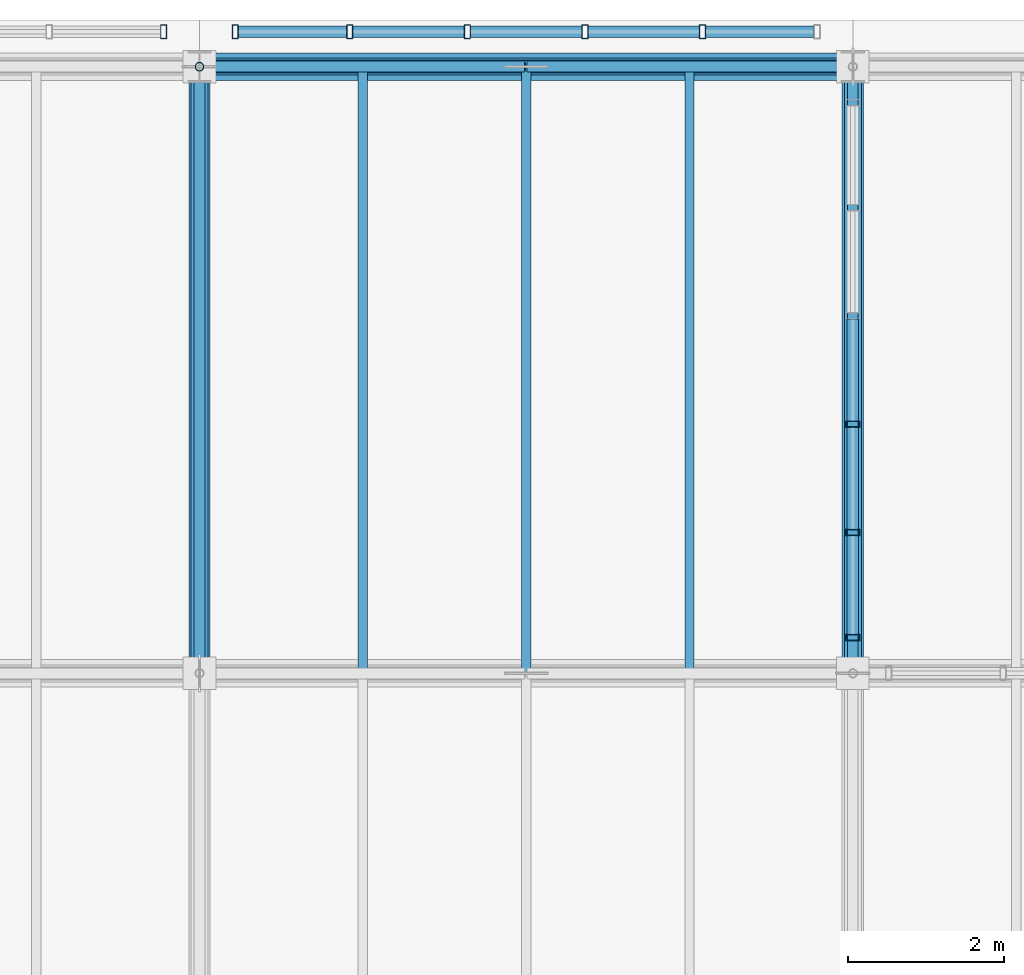
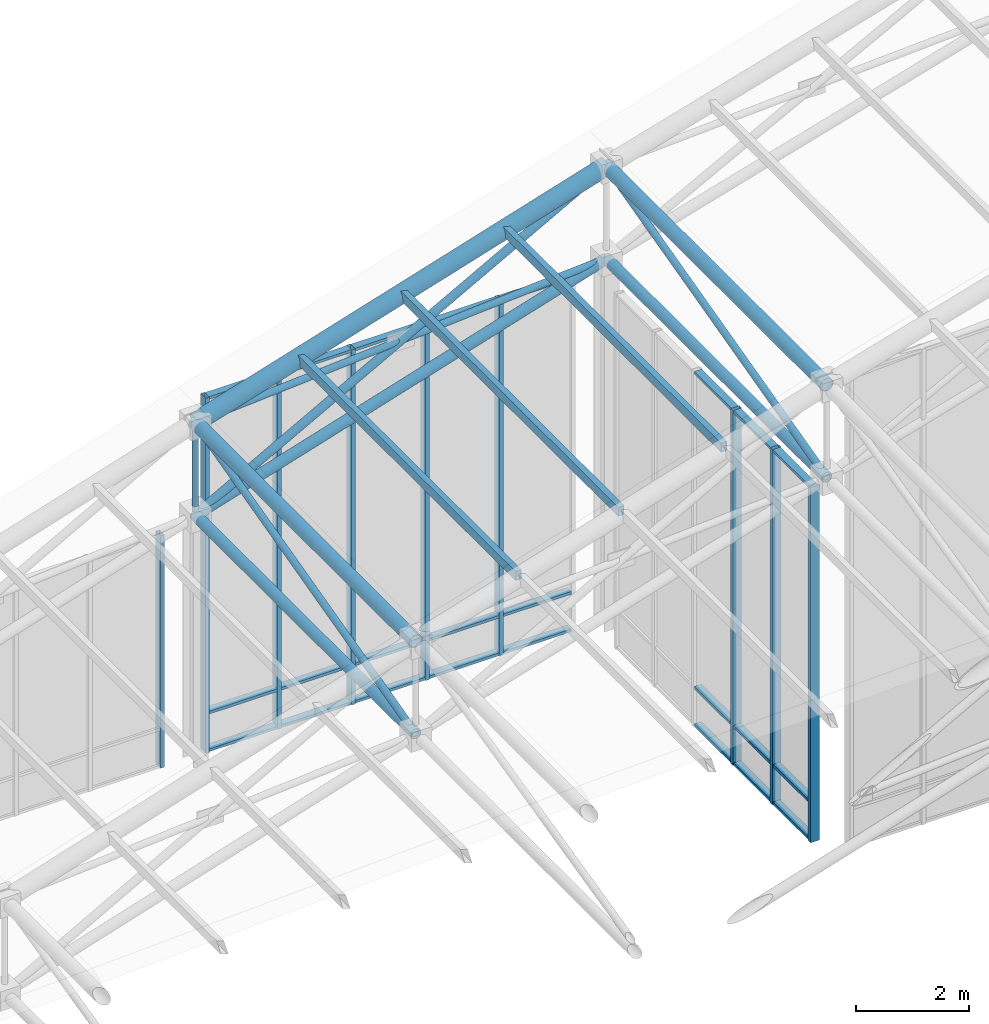
# One storey, part 68 of 144: 48 members, 3 elements without a shape of their own.
"""IFC4 building model written with IfcOpenShell, lengths in metres."""

from ifc_helpers import new_model, si_unit, direction, frame, origin, origin_2d, place, context, subcontext, project, spatial, hollow_rectangle, hollow_circle, extrude, material, layer, layer_set, material_profile, profile_set, type_object, element, aggregate, save


model = new_model("IFC4")

# Units and contexts
model_context = context("Model", 3, precision=1e-05, world=origin(), true_north=direction((0.0, 1.0)))
body_context = subcontext(model_context, "Body", "Model", "MODEL_VIEW")
ifc_project = project(units=[si_unit("LENGTHUNIT", "METRE"), si_unit("AREAUNIT", "SQUARE_METRE"), si_unit("VOLUMEUNIT", "CUBIC_METRE"), si_unit("PLANEANGLEUNIT", "RADIAN"), si_unit("MASSUNIT", "GRAM", prefix="KILO")], contexts=[model_context])

# Site, building, storey
site_placement = place(None, origin())
site = spatial("IfcSite", under=ifc_project, at=site_placement, CompositionType="ELEMENT")
building_placement = place(site_placement, origin())
building = spatial("IfcBuilding", under=site, at=building_placement, Name="Zayran Congress Hotel", CompositionType="ELEMENT")
storey_placement = place(building_placement, frame((0.0, 0.0, 19.199951171875)))
storey = spatial("IfcBuildingStorey", under=building, at=storey_placement, Name="L04", CompositionType="ELEMENT", Elevation=19.199951171875)

# Members
ifc_material_1 = material(Name="Steel S355", Category="steel")
ifc_material_profile_1 = material_profile(ifc_material_1, hollow_circle(Radius=0.177734375, WallThickness=0.01611328125, at=origin_2d()), Name="CHS 355.6x16")
ifc_profile_set_1 = profile_set([ifc_material_profile_1], Name="Steel S355")
member_type_1 = type_object("IfcMemberType", Name="TP-SF-TC1", PredefinedType="CHORD", material=ifc_profile_set_1)
member_1_placement = place(storey_placement, frame((25.199951171875, 117.39990234375, 7.302001953125), z_axis=(0.955284210171, 0.0, 0.29568915739), x_axis=(0.0, 1.0, 0.0)))
element("IfcMember", 1, at=member_1_placement, inside=storey, type_object=member_type_1, Name="Space Frame Top Chord X 161", PredefinedType="CHORD", context=body_context, shape_type="SweptSolid", body=[
    extrude(hollow_circle(Radius=0.177734375, WallThickness=0.01611328125, at=origin_2d()), origin(), (0.0, 0.0, 1.0), 8.79345703125),
])
ifc_material_profile_2 = material_profile(ifc_material_1, hollow_circle(Radius=0.136474609375, WallThickness=0.012451171875, at=origin_2d()), Name="CHS 273x12.5")
ifc_profile_set_2 = profile_set([ifc_material_profile_2], Name="Steel S355")
member_type_2 = type_object("IfcMemberType", Name="TP-SF-TC2", PredefinedType="CHORD", material=ifc_profile_set_2)
for number, where, z_axis, x_axis, name in (
    (2, (25.199951171875, 109.60009765625, 7.302001953125), (0.0, 1.0, 0.0), (-1.0, 0.0, 0.0), "Space Frame Top Chord Y 157"),
    (3, (33.60009765625, 109.60009765625, 9.902099609375), (0.0, 1.0, 0.0), (-1.0, 0.0, 0.0), "Space Frame Top Chord Y 210"),
):
    element("IfcMember", number, at=place(storey_placement, frame(where, z_axis=z_axis, x_axis=x_axis)), inside=storey, type_object=member_type_2, Name=name, PredefinedType="CHORD", context=body_context, shape_type="SweptSolid", body=[
        extrude(hollow_circle(Radius=0.136474609375, WallThickness=0.012451171875, at=origin_2d()), origin(), (0.0, 0.0, 1.0), 7.7998046875),
    ])
ifc_material_profile_3 = material_profile(ifc_material_1, hollow_circle(Radius=0.109619140625, WallThickness=0.010009765625, at=origin_2d()), Name="CHS 219.1x10")
ifc_profile_set_3 = profile_set([ifc_material_profile_3], Name="Steel S355")
member_type_3 = type_object("IfcMemberType", Name="TP-SF-BC1", PredefinedType="CHORD", material=ifc_profile_set_3)
member_2_placement = place(storey_placement, frame((25.199951171875, 109.60009765625, 5.300048828125), z_axis=(0.0, 1.0, 0.0), x_axis=(-1.0, 0.0, 0.0)))
element("IfcMember", 4, at=member_2_placement, inside=storey, type_object=member_type_3, Name="Space Frame Bottom Chord Y 158", PredefinedType="CHORD", context=body_context, shape_type="SweptSolid", body=[
    extrude(hollow_circle(Radius=0.109619140625, WallThickness=0.010009765625, at=origin_2d()), origin(), (0.0, 0.0, 1.0), 7.7998046875),
])
member_3_placement = place(storey_placement, frame((25.199951171875, 117.39990234375, 5.300048828125), z_axis=(0.955284210171, 0.0, 0.29568915739), x_axis=(0.0, 1.0, 0.0)))
element("IfcMember", 5, at=member_3_placement, inside=storey, type_object=member_type_3, Name="Space Frame Bottom Chord X 162", PredefinedType="CHORD", context=body_context, shape_type="SweptSolid", body=[
    extrude(hollow_circle(Radius=0.109619140625, WallThickness=0.010009765625, at=origin_2d()), origin(), (0.0, 0.0, 1.0), 8.79345703125),
])
member_4_placement = place(storey_placement, frame((33.60009765625, 109.60009765625, 7.900146484375), z_axis=(0.0, 1.0, 0.0), x_axis=(-1.0, 0.0, 0.0)))
element("IfcMember", 6, at=member_4_placement, inside=storey, type_object=member_type_3, Name="Space Frame Bottom Chord Y 211", PredefinedType="CHORD", context=body_context, shape_type="SweptSolid", body=[
    extrude(hollow_circle(Radius=0.109619140625, WallThickness=0.010009765625, at=origin_2d()), origin(), (0.0, 0.0, 1.0), 7.7998046875),
])
ifc_material_profile_4 = material_profile(ifc_material_1, hollow_circle(Radius=0.084228515625, WallThickness=0.008056640625, at=origin_2d()), Name="CHS 168.3x8")
ifc_profile_set_4 = profile_set([ifc_material_profile_4], Name="Steel S355")
member_type_4 = type_object("IfcMemberType", Name="TP-SF-DG1", PredefinedType="BRACE", material=ifc_profile_set_4)
member_5_placement = place(storey_placement, frame((25.199951171875, 117.39990234375, 5.300048828125), z_axis=(0.877009581124, 0.0, 0.480472886453), x_axis=(0.0, 1.0, 0.0)))
element("IfcMember", 7, at=member_5_placement, inside=storey, type_object=member_type_4, Name="Space Frame Web Diagonal X 163", PredefinedType="BRACE", context=body_context, shape_type="SweptSolid", body=[
    extrude(hollow_circle(Radius=0.084228515625, WallThickness=0.008056640625, at=origin_2d()), origin(), (0.0, 0.0, 1.0), 9.578125),
])
ifc_material_profile_5 = material_profile(ifc_material_1, hollow_circle(Radius=0.06982421875, WallThickness=0.00634765625, at=origin_2d()), Name="CHS 139.7x6.3")
ifc_profile_set_5 = profile_set([ifc_material_profile_5], Name="Steel S355")
member_type_5 = type_object("IfcMemberType", Name="TP-SF-DG2", PredefinedType="BRACE", material=ifc_profile_set_5)
member_6_placement = place(storey_placement, frame((25.199951171875, 109.60009765625, 5.300048828125), z_axis=(0.0, 0.968603987179, 0.248608760951), x_axis=(-1.0, 0.0, 0.0)))
element("IfcMember", 8, at=member_6_placement, inside=storey, type_object=member_type_5, Name="Space Frame Web Diagonal Y 159", PredefinedType="BRACE", context=body_context, shape_type="SweptSolid", body=[
    extrude(hollow_circle(Radius=0.06982421875, WallThickness=0.00634765625, at=origin_2d()), origin(), (0.0, 0.0, 1.0), 8.052734375),
])
for number, where, z_axis, x_axis, name in (
    (9, (25.199951171875, 117.39990234375, 7.302001953125), (0.99747698019, 0.0, 0.07099066129), (0.0, 1.0, 0.0), "Space Frame Counter Diagonal X Upper 164"),
    (10, (29.4150390625, 117.39990234375, 7.60205078125), (0.997472858069, 0.0, 0.071048556744), (0.0, 1.0, 0.0), "Space Frame Counter Diagonal X Lower 27"),
):
    element("IfcMember", number, at=place(storey_placement, frame(where, z_axis=z_axis, x_axis=x_axis)), inside=storey, type_object=member_type_5, Name=name, PredefinedType="BRACE", context=body_context, shape_type="SweptSolid", body=[
        extrude(hollow_circle(Radius=0.06982421875, WallThickness=0.00634765625, at=origin_2d()), origin(), (0.0, 0.0, 1.0), 4.195556640625),
    ])
member_7_placement = place(storey_placement, frame((33.60009765625, 109.60009765625, 7.900146484375), z_axis=(0.0, 0.968603987179, 0.248608760951), x_axis=(-1.0, 0.0, 0.0)))
element("IfcMember", 11, at=member_7_placement, inside=storey, type_object=member_type_5, Name="Space Frame Web Diagonal Y 212", PredefinedType="BRACE", context=body_context, shape_type="SweptSolid", body=[
    extrude(hollow_circle(Radius=0.06982421875, WallThickness=0.00634765625, at=origin_2d()), origin(), (0.0, 0.0, 1.0), 8.052734375),
])
ifc_material_profile_6 = material_profile(ifc_material_1, hollow_circle(Radius=0.05712890625, WallThickness=0.00634765625, at=origin_2d()), Name="CHS 114.3x6.3")
ifc_profile_set_6 = profile_set([ifc_material_profile_6], Name="Steel S355")
member_type_6 = type_object("IfcMemberType", Name="TP-SF-DG3", PredefinedType="BRACE", material=ifc_profile_set_6)
member_8_placement = place(storey_placement, frame((25.199951171875, 117.39990234375, 5.300048828125), z_axis=(0.0, 0.0, 1.0), x_axis=(0.0, 1.0, 0.0)))
element("IfcMember", 12, at=member_8_placement, inside=storey, type_object=member_type_6, Name="Space Frame Web Strut 165", PredefinedType="BRACE", context=body_context, shape_type="SweptSolid", body=[
    extrude(hollow_circle(Radius=0.05712890625, WallThickness=0.00634765625, at=origin_2d()), origin(), (0.0, 0.0, 1.0), 2.001953125),
])
ifc_material_profile_7 = material_profile(ifc_material_1, hollow_rectangle(XDim=0.1201171875, YDim=0.199951171875, WallThickness=0.008056640625, at=origin_2d()), Name="RHS 200x120x8")
ifc_profile_set_7 = profile_set([ifc_material_profile_7], Name="Steel S355")
member_type_7 = type_object("IfcMemberType", Name="TP-PR-01", PredefinedType="PURLIN", material=ifc_profile_set_7)
for number, where, z_axis, x_axis, name in (
    (13, (27.300048828125, 109.60009765625, 7.994140625), (0.0, 1.0, 0.0), (-1.0, 0.0, 0.0), "MEM-PR-V1-0042"),
    (14, (29.39990234375, 109.60009765625, 8.64404296875), (0.0, 1.0, 0.0), (-1.0, 0.0, 0.0), "MEM-PR-V1-0048"),
    (15, (31.5, 109.60009765625, 9.2939453125), (0.0, 1.0, 0.0), (-1.0, 0.0, 0.0), "MEM-PR-V1-0054"),
):
    element("IfcMember", number, at=place(storey_placement, frame(where, z_axis=z_axis, x_axis=x_axis)), inside=storey, type_object=member_type_7, Name=name, PredefinedType="PURLIN", context=body_context, shape_type="SweptSolid", body=[
        extrude(hollow_rectangle(XDim=0.1201171875, YDim=0.199951171875, WallThickness=0.008056640625, at=origin_2d()), origin(), (0.0, 0.0, 1.0), 7.7998046875),
    ])

# Curtain wall, member
ifc_material_2 = material(Name="Anodised aluminium and low-E insulated glass", Category="aluminium")
ifc_layer_1 = layer(ifc_material_2, 0.179931640625)
ifc_layer_set_1 = layer_set([ifc_layer_1], Name="Anodised aluminium and low-E insulated glass")
curtain_wall_type_1 = type_object("IfcCurtainWallType", Name="CW-V1CL-L04-CW-22-7560-5020", PredefinedType="USERDEFINED", material=ifc_layer_set_1)
curtain_wall_1_placement = place(storey_placement, origin())
curtain_wall_1 = element("IfcCurtainWall", 16, at=curtain_wall_1_placement, inside=storey, type_object=curtain_wall_type_1, Name="CW-V1CLN-1", ObjectType="CURTAIN WALL", PredefinedType="USERDEFINED")
ifc_material_3 = material(Name="Anodised aluminium framing", Category="aluminium")
ifc_material_profile_8 = material_profile(ifc_material_3, hollow_rectangle(XDim=0.080078125, YDim=0.179931640625, WallThickness=0.0048828125, at=origin_2d()), Name="RHS 180x80x5")
ifc_profile_set_8 = profile_set([ifc_material_profile_8], Name="Anodised aluminium framing")
member_type_8 = type_object("IfcMemberType", Name="TP-CWM-01", PredefinedType="MULLION", material=ifc_profile_set_8)
member_9_placement = place(storey_placement, frame((24.739990234375, 117.85009765625, -0.219970703125), z_axis=(0.0, 0.0, 1.0), x_axis=(1.0, 0.0, 0.0)))
member_9 = element("IfcMember", 17, at=member_9_placement, type_object=member_type_8, Name="CW-V1CLN-1-M00", PredefinedType="MULLION", context=body_context, shape_type="SweptSolid", body=[
    extrude(hollow_rectangle(XDim=0.080078125, YDim=0.179931640625, WallThickness=0.0048828125, at=origin_2d()), origin(), (0.0, 0.0, 1.0), 5.02001953125),
])
aggregate(curtain_wall_1, [member_9])

# Curtain wall, members
ifc_layer_2 = layer(ifc_material_2, 0.179931640625)
ifc_layer_set_2 = layer_set([ifc_layer_2], Name="Anodised aluminium and low-E insulated glass")
curtain_wall_type_2 = type_object("IfcCurtainWallType", Name="CW-V1CL-L04-CW-23-7560-7670", PredefinedType="USERDEFINED", material=ifc_layer_set_2)
curtain_wall_2_placement = place(storey_placement, origin())
curtain_wall_2 = element("IfcCurtainWall", 18, at=curtain_wall_2_placement, inside=storey, type_object=curtain_wall_type_2, Name="CW-V1CLN-2", ObjectType="CURTAIN WALL", PredefinedType="USERDEFINED")
member_10_placement = place(storey_placement, frame((31.66796875, 117.85009765625, -0.219970703125), z_axis=(0.0, 0.0, 1.0), x_axis=(1.0, 0.0, 0.0)))
member_10 = element("IfcMember", 19, at=member_10_placement, type_object=member_type_8, Name="CW-V1CLN-2-M01", PredefinedType="MULLION", context=body_context, shape_type="SweptSolid", body=[
    extrude(hollow_rectangle(XDim=0.080078125, YDim=0.179931640625, WallThickness=0.0048828125, at=origin_2d()), origin(), (0.0, 0.0, 1.0), 7.669921875),
])
member_11_placement = place(storey_placement, frame((30.156005859375, 117.85009765625, -0.219970703125), z_axis=(0.0, 0.0, 1.0), x_axis=(1.0, 0.0, 0.0)))
member_11 = element("IfcMember", 20, at=member_11_placement, type_object=member_type_8, Name="CW-V1CLN-2-M02", PredefinedType="MULLION", context=body_context, shape_type="SweptSolid", body=[
    extrude(hollow_rectangle(XDim=0.080078125, YDim=0.179931640625, WallThickness=0.0048828125, at=origin_2d()), origin(), (0.0, 0.0, 1.0), 7.669921875),
])
member_12_placement = place(storey_placement, frame((28.64404296875, 117.85009765625, -0.219970703125), z_axis=(0.0, 0.0, 1.0), x_axis=(1.0, 0.0, 0.0)))
member_12 = element("IfcMember", 21, at=member_12_placement, type_object=member_type_8, Name="CW-V1CLN-2-M03", PredefinedType="MULLION", context=body_context, shape_type="SweptSolid", body=[
    extrude(hollow_rectangle(XDim=0.080078125, YDim=0.179931640625, WallThickness=0.0048828125, at=origin_2d()), origin(), (0.0, 0.0, 1.0), 7.669921875),
])
member_13_placement = place(storey_placement, frame((27.132080078125, 117.85009765625, -0.219970703125), z_axis=(0.0, 0.0, 1.0), x_axis=(1.0, 0.0, 0.0)))
member_13 = element("IfcMember", 22, at=member_13_placement, type_object=member_type_8, Name="CW-V1CLN-2-M04", PredefinedType="MULLION", context=body_context, shape_type="SweptSolid", body=[
    extrude(hollow_rectangle(XDim=0.080078125, YDim=0.179931640625, WallThickness=0.0048828125, at=origin_2d()), origin(), (0.0, 0.0, 1.0), 7.669921875),
])
member_14_placement = place(storey_placement, frame((25.659912109375, 117.85009765625, -0.219970703125), z_axis=(0.0, 0.0, 1.0), x_axis=(1.0, 0.0, 0.0)))
member_14 = element("IfcMember", 23, at=member_14_placement, type_object=member_type_8, Name="CW-V1CLN-2-M05", PredefinedType="MULLION", context=body_context, shape_type="SweptSolid", body=[
    extrude(hollow_rectangle(XDim=0.080078125, YDim=0.179931640625, WallThickness=0.0048828125, at=origin_2d()), origin(), (0.0, 0.0, 1.0), 7.669921875),
])

ifc_layer_3 = layer(ifc_material_2, 0.179931640625)
ifc_layer_set_3 = layer_set([ifc_layer_3], Name="Anodised aluminium and low-E insulated glass")
curtain_wall_type_3 = type_object("IfcCurtainWallType", Name="CW-V1CL-L04-CW-24-6960-7670", PredefinedType="USERDEFINED", material=ifc_layer_set_3)
curtain_wall_3_placement = place(storey_placement, origin())
curtain_wall_3 = element("IfcCurtainWall", 24, at=curtain_wall_3_placement, inside=storey, type_object=curtain_wall_type_3, Name="CW-V1CLNW", ObjectType="CURTAIN WALL", PredefinedType="USERDEFINED")
member_15_placement = place(storey_placement, frame((33.60009765625, 110.06005859375, -0.219970703125), z_axis=(0.0, 0.0, 1.0), x_axis=(0.0, 1.0, 0.0)))
member_15 = element("IfcMember", 25, at=member_15_placement, type_object=member_type_8, Name="CW-V1CLNW-M00", PredefinedType="MULLION", context=body_context, shape_type="SweptSolid", body=[
    extrude(hollow_rectangle(XDim=0.080078125, YDim=0.179931640625, WallThickness=0.0048828125, at=origin_2d()), origin(), (0.0, 0.0, 1.0), 7.669921875),
])
member_16_placement = place(storey_placement, frame((33.60009765625, 111.412109375, -0.219970703125), z_axis=(0.0, 0.0, 1.0), x_axis=(0.0, 1.0, 0.0)))
member_16 = element("IfcMember", 26, at=member_16_placement, type_object=member_type_8, Name="CW-V1CLNW-M01", PredefinedType="MULLION", context=body_context, shape_type="SweptSolid", body=[
    extrude(hollow_rectangle(XDim=0.080078125, YDim=0.179931640625, WallThickness=0.0048828125, at=origin_2d()), origin(), (0.0, 0.0, 1.0), 7.669921875),
])
member_17_placement = place(storey_placement, frame((33.60009765625, 112.803955078125, -0.219970703125), z_axis=(0.0, 0.0, 1.0), x_axis=(0.0, 1.0, 0.0)))
member_17 = element("IfcMember", 27, at=member_17_placement, type_object=member_type_8, Name="CW-V1CLNW-M02", PredefinedType="MULLION", context=body_context, shape_type="SweptSolid", body=[
    extrude(hollow_rectangle(XDim=0.080078125, YDim=0.179931640625, WallThickness=0.0048828125, at=origin_2d()), origin(), (0.0, 0.0, 1.0), 7.669921875),
])

# Member
ifc_material_profile_9 = material_profile(ifc_material_3, hollow_rectangle(XDim=0.06005859375, YDim=0.14990234375, WallThickness=0.00390625, at=origin_2d()), Name="RHS 150x60x4")
ifc_profile_set_9 = profile_set([ifc_material_profile_9], Name="Anodised aluminium framing")
member_type_9 = type_object("IfcMemberType", Name="TP-CWT-01", PredefinedType="USERDEFINED", material=ifc_profile_set_9)
member_18_placement = place(storey_placement, frame((33.10009765625, 117.85009765625, -0.18994140625), z_axis=(-1.0, 0.0, 0.0), x_axis=(0.0, 0.0, 1.0)))
member_18 = element("IfcMember", 28, at=member_18_placement, type_object=member_type_9, Name="CW-V1CLN-2-T00-0", ObjectType="TRANSOM", PredefinedType="USERDEFINED", context=body_context, shape_type="SweptSolid", body=[
    extrude(hollow_rectangle(XDim=0.06005859375, YDim=0.14990234375, WallThickness=0.00390625, at=origin_2d()), origin(), (0.0, 0.0, 1.0), 1.39208984375),
])

member_19_placement = place(storey_placement, frame((33.10009765625, 117.85009765625, 0.6201171875), z_axis=(-1.0, 0.0, 0.0), x_axis=(0.0, 0.0, 1.0)))
member_19 = element("IfcMember", 29, at=member_19_placement, type_object=member_type_9, Name="CW-V1CLN-2-T00-1", ObjectType="TRANSOM", PredefinedType="USERDEFINED", context=body_context, shape_type="SweptSolid", body=[
    extrude(hollow_rectangle(XDim=0.06005859375, YDim=0.14990234375, WallThickness=0.00390625, at=origin_2d()), origin(), (0.0, 0.0, 1.0), 1.39208984375),
])

member_20_placement = place(storey_placement, frame((33.10009765625, 117.85009765625, 7.420166015625), z_axis=(-1.0, 0.0, 0.0), x_axis=(0.0, 0.0, 1.0)))
member_20 = element("IfcMember", 30, at=member_20_placement, type_object=member_type_9, Name="CW-V1CLN-2-T00-2", ObjectType="TRANSOM", PredefinedType="USERDEFINED", context=body_context, shape_type="SweptSolid", body=[
    extrude(hollow_rectangle(XDim=0.06005859375, YDim=0.14990234375, WallThickness=0.00390625, at=origin_2d()), origin(), (0.0, 0.0, 1.0), 1.39208984375),
])

member_21_placement = place(storey_placement, frame((31.6279296875, 117.85009765625, -0.18994140625), z_axis=(-1.0, 0.0, 0.0), x_axis=(0.0, 0.0, 1.0)))
member_21 = element("IfcMember", 31, at=member_21_placement, type_object=member_type_9, Name="CW-V1CLN-2-T01-0", ObjectType="TRANSOM", PredefinedType="USERDEFINED", context=body_context, shape_type="SweptSolid", body=[
    extrude(hollow_rectangle(XDim=0.06005859375, YDim=0.14990234375, WallThickness=0.00390625, at=origin_2d()), origin(), (0.0, 0.0, 1.0), 1.431884765625),
])

member_22_placement = place(storey_placement, frame((31.6279296875, 117.85009765625, 0.6201171875), z_axis=(-1.0, 0.0, 0.0), x_axis=(0.0, 0.0, 1.0)))
member_22 = element("IfcMember", 32, at=member_22_placement, type_object=member_type_9, Name="CW-V1CLN-2-T01-1", ObjectType="TRANSOM", PredefinedType="USERDEFINED", context=body_context, shape_type="SweptSolid", body=[
    extrude(hollow_rectangle(XDim=0.06005859375, YDim=0.14990234375, WallThickness=0.00390625, at=origin_2d()), origin(), (0.0, 0.0, 1.0), 1.431884765625),
])

member_23_placement = place(storey_placement, frame((31.6279296875, 117.85009765625, 7.420166015625), z_axis=(-1.0, 0.0, 0.0), x_axis=(0.0, 0.0, 1.0)))
member_23 = element("IfcMember", 33, at=member_23_placement, type_object=member_type_9, Name="CW-V1CLN-2-T01-2", ObjectType="TRANSOM", PredefinedType="USERDEFINED", context=body_context, shape_type="SweptSolid", body=[
    extrude(hollow_rectangle(XDim=0.06005859375, YDim=0.14990234375, WallThickness=0.00390625, at=origin_2d()), origin(), (0.0, 0.0, 1.0), 1.431884765625),
])

member_24_placement = place(storey_placement, frame((30.115966796875, 117.85009765625, -0.18994140625), z_axis=(-1.0, 0.0, 0.0), x_axis=(0.0, 0.0, 1.0)))
member_24 = element("IfcMember", 34, at=member_24_placement, type_object=member_type_9, Name="CW-V1CLN-2-T02-0", ObjectType="TRANSOM", PredefinedType="USERDEFINED", context=body_context, shape_type="SweptSolid", body=[
    extrude(hollow_rectangle(XDim=0.06005859375, YDim=0.14990234375, WallThickness=0.00390625, at=origin_2d()), origin(), (0.0, 0.0, 1.0), 1.431884765625),
])

member_25_placement = place(storey_placement, frame((30.115966796875, 117.85009765625, 0.6201171875), z_axis=(-1.0, 0.0, 0.0), x_axis=(0.0, 0.0, 1.0)))
member_25 = element("IfcMember", 35, at=member_25_placement, type_object=member_type_9, Name="CW-V1CLN-2-T02-1", ObjectType="TRANSOM", PredefinedType="USERDEFINED", context=body_context, shape_type="SweptSolid", body=[
    extrude(hollow_rectangle(XDim=0.06005859375, YDim=0.14990234375, WallThickness=0.00390625, at=origin_2d()), origin(), (0.0, 0.0, 1.0), 1.431884765625),
])

member_26_placement = place(storey_placement, frame((30.115966796875, 117.85009765625, 7.420166015625), z_axis=(-1.0, 0.0, 0.0), x_axis=(0.0, 0.0, 1.0)))
member_26 = element("IfcMember", 36, at=member_26_placement, type_object=member_type_9, Name="CW-V1CLN-2-T02-2", ObjectType="TRANSOM", PredefinedType="USERDEFINED", context=body_context, shape_type="SweptSolid", body=[
    extrude(hollow_rectangle(XDim=0.06005859375, YDim=0.14990234375, WallThickness=0.00390625, at=origin_2d()), origin(), (0.0, 0.0, 1.0), 1.431884765625),
])

member_27_placement = place(storey_placement, frame((28.60400390625, 117.85009765625, -0.18994140625), z_axis=(-1.0, 0.0, 0.0), x_axis=(0.0, 0.0, 1.0)))
member_27 = element("IfcMember", 37, at=member_27_placement, type_object=member_type_9, Name="CW-V1CLN-2-T03-0", ObjectType="TRANSOM", PredefinedType="USERDEFINED", context=body_context, shape_type="SweptSolid", body=[
    extrude(hollow_rectangle(XDim=0.06005859375, YDim=0.14990234375, WallThickness=0.00390625, at=origin_2d()), origin(), (0.0, 0.0, 1.0), 1.431884765625),
])

member_28_placement = place(storey_placement, frame((28.60400390625, 117.85009765625, 0.6201171875), z_axis=(-1.0, 0.0, 0.0), x_axis=(0.0, 0.0, 1.0)))
member_28 = element("IfcMember", 38, at=member_28_placement, type_object=member_type_9, Name="CW-V1CLN-2-T03-1", ObjectType="TRANSOM", PredefinedType="USERDEFINED", context=body_context, shape_type="SweptSolid", body=[
    extrude(hollow_rectangle(XDim=0.06005859375, YDim=0.14990234375, WallThickness=0.00390625, at=origin_2d()), origin(), (0.0, 0.0, 1.0), 1.431884765625),
])

member_29_placement = place(storey_placement, frame((28.60400390625, 117.85009765625, 7.420166015625), z_axis=(-1.0, 0.0, 0.0), x_axis=(0.0, 0.0, 1.0)))
member_29 = element("IfcMember", 39, at=member_29_placement, type_object=member_type_9, Name="CW-V1CLN-2-T03-2", ObjectType="TRANSOM", PredefinedType="USERDEFINED", context=body_context, shape_type="SweptSolid", body=[
    extrude(hollow_rectangle(XDim=0.06005859375, YDim=0.14990234375, WallThickness=0.00390625, at=origin_2d()), origin(), (0.0, 0.0, 1.0), 1.431884765625),
])

member_30_placement = place(storey_placement, frame((27.092041015625, 117.85009765625, -0.18994140625), z_axis=(-1.0, 0.0, 0.0), x_axis=(0.0, 0.0, 1.0)))
member_30 = element("IfcMember", 40, at=member_30_placement, type_object=member_type_9, Name="CW-V1CLN-2-T04-0", ObjectType="TRANSOM", PredefinedType="USERDEFINED", context=body_context, shape_type="SweptSolid", body=[
    extrude(hollow_rectangle(XDim=0.06005859375, YDim=0.14990234375, WallThickness=0.00390625, at=origin_2d()), origin(), (0.0, 0.0, 1.0), 1.39208984375),
])

member_31_placement = place(storey_placement, frame((27.092041015625, 117.85009765625, 0.6201171875), z_axis=(-1.0, 0.0, 0.0), x_axis=(0.0, 0.0, 1.0)))
member_31 = element("IfcMember", 41, at=member_31_placement, type_object=member_type_9, Name="CW-V1CLN-2-T04-1", ObjectType="TRANSOM", PredefinedType="USERDEFINED", context=body_context, shape_type="SweptSolid", body=[
    extrude(hollow_rectangle(XDim=0.06005859375, YDim=0.14990234375, WallThickness=0.00390625, at=origin_2d()), origin(), (0.0, 0.0, 1.0), 1.39208984375),
])

member_32_placement = place(storey_placement, frame((27.092041015625, 117.85009765625, 7.420166015625), z_axis=(-1.0, 0.0, 0.0), x_axis=(0.0, 0.0, 1.0)))
member_32 = element("IfcMember", 42, at=member_32_placement, type_object=member_type_9, Name="CW-V1CLN-2-T04-2", ObjectType="TRANSOM", PredefinedType="USERDEFINED", context=body_context, shape_type="SweptSolid", body=[
    extrude(hollow_rectangle(XDim=0.06005859375, YDim=0.14990234375, WallThickness=0.00390625, at=origin_2d()), origin(), (0.0, 0.0, 1.0), 1.39208984375),
])

aggregate(curtain_wall_2, [member_10, member_11, member_12, member_13, member_14, member_18, member_19, member_20, member_21, member_22, member_23, member_24, member_25, member_26, member_27, member_28, member_29, member_30, member_31, member_32])

member_33_placement = place(storey_placement, frame((33.60009765625, 110.10009765625, -0.18994140625), z_axis=(0.0, 1.0, 0.0), x_axis=(0.0, 0.0, 1.0)))
member_33 = element("IfcMember", 43, at=member_33_placement, type_object=member_type_9, Name="CW-V1CLNW-T00-0", ObjectType="TRANSOM", PredefinedType="USERDEFINED", context=body_context, shape_type="SweptSolid", body=[
    extrude(hollow_rectangle(XDim=0.06005859375, YDim=0.14990234375, WallThickness=0.00390625, at=origin_2d()), origin(), (0.0, 0.0, 1.0), 1.27197265625),
])

member_34_placement = place(storey_placement, frame((33.60009765625, 110.10009765625, 0.6201171875), z_axis=(0.0, 1.0, 0.0), x_axis=(0.0, 0.0, 1.0)))
member_34 = element("IfcMember", 44, at=member_34_placement, type_object=member_type_9, Name="CW-V1CLNW-T00-1", ObjectType="TRANSOM", PredefinedType="USERDEFINED", context=body_context, shape_type="SweptSolid", body=[
    extrude(hollow_rectangle(XDim=0.06005859375, YDim=0.14990234375, WallThickness=0.00390625, at=origin_2d()), origin(), (0.0, 0.0, 1.0), 1.27197265625),
])

member_35_placement = place(storey_placement, frame((33.60009765625, 110.10009765625, 7.420166015625), z_axis=(0.0, 1.0, 0.0), x_axis=(0.0, 0.0, 1.0)))
member_35 = element("IfcMember", 45, at=member_35_placement, type_object=member_type_9, Name="CW-V1CLNW-T00-2", ObjectType="TRANSOM", PredefinedType="USERDEFINED", context=body_context, shape_type="SweptSolid", body=[
    extrude(hollow_rectangle(XDim=0.06005859375, YDim=0.14990234375, WallThickness=0.00390625, at=origin_2d()), origin(), (0.0, 0.0, 1.0), 1.27197265625),
])

member_36_placement = place(storey_placement, frame((33.60009765625, 111.451904296875, -0.18994140625), z_axis=(0.0, 1.0, 0.0), x_axis=(0.0, 0.0, 1.0)))
member_36 = element("IfcMember", 46, at=member_36_placement, type_object=member_type_9, Name="CW-V1CLNW-T01-0", ObjectType="TRANSOM", PredefinedType="USERDEFINED", context=body_context, shape_type="SweptSolid", body=[
    extrude(hollow_rectangle(XDim=0.06005859375, YDim=0.14990234375, WallThickness=0.00390625, at=origin_2d()), origin(), (0.0, 0.0, 1.0), 1.31201171875),
])

member_37_placement = place(storey_placement, frame((33.60009765625, 111.451904296875, 0.6201171875), z_axis=(0.0, 1.0, 0.0), x_axis=(0.0, 0.0, 1.0)))
member_37 = element("IfcMember", 47, at=member_37_placement, type_object=member_type_9, Name="CW-V1CLNW-T01-1", ObjectType="TRANSOM", PredefinedType="USERDEFINED", context=body_context, shape_type="SweptSolid", body=[
    extrude(hollow_rectangle(XDim=0.06005859375, YDim=0.14990234375, WallThickness=0.00390625, at=origin_2d()), origin(), (0.0, 0.0, 1.0), 1.31201171875),
])

member_38_placement = place(storey_placement, frame((33.60009765625, 111.451904296875, 7.420166015625), z_axis=(0.0, 1.0, 0.0), x_axis=(0.0, 0.0, 1.0)))
member_38 = element("IfcMember", 48, at=member_38_placement, type_object=member_type_9, Name="CW-V1CLNW-T01-2", ObjectType="TRANSOM", PredefinedType="USERDEFINED", context=body_context, shape_type="SweptSolid", body=[
    extrude(hollow_rectangle(XDim=0.06005859375, YDim=0.14990234375, WallThickness=0.00390625, at=origin_2d()), origin(), (0.0, 0.0, 1.0), 1.31201171875),
])

member_39_placement = place(storey_placement, frame((33.60009765625, 112.843994140625, -0.18994140625), z_axis=(0.0, 1.0, 0.0), x_axis=(0.0, 0.0, 1.0)))
member_39 = element("IfcMember", 49, at=member_39_placement, type_object=member_type_9, Name="CW-V1CLNW-T02-0", ObjectType="TRANSOM", PredefinedType="USERDEFINED", context=body_context, shape_type="SweptSolid", body=[
    extrude(hollow_rectangle(XDim=0.06005859375, YDim=0.14990234375, WallThickness=0.00390625, at=origin_2d()), origin(), (0.0, 0.0, 1.0), 1.31201171875),
])

member_40_placement = place(storey_placement, frame((33.60009765625, 112.843994140625, 0.6201171875), z_axis=(0.0, 1.0, 0.0), x_axis=(0.0, 0.0, 1.0)))
member_40 = element("IfcMember", 50, at=member_40_placement, type_object=member_type_9, Name="CW-V1CLNW-T02-1", ObjectType="TRANSOM", PredefinedType="USERDEFINED", context=body_context, shape_type="SweptSolid", body=[
    extrude(hollow_rectangle(XDim=0.06005859375, YDim=0.14990234375, WallThickness=0.00390625, at=origin_2d()), origin(), (0.0, 0.0, 1.0), 1.31201171875),
])

member_41_placement = place(storey_placement, frame((33.60009765625, 112.843994140625, 7.420166015625), z_axis=(0.0, 1.0, 0.0), x_axis=(0.0, 0.0, 1.0)))
member_41 = element("IfcMember", 51, at=member_41_placement, type_object=member_type_9, Name="CW-V1CLNW-T02-2", ObjectType="TRANSOM", PredefinedType="USERDEFINED", context=body_context, shape_type="SweptSolid", body=[
    extrude(hollow_rectangle(XDim=0.06005859375, YDim=0.14990234375, WallThickness=0.00390625, at=origin_2d()), origin(), (0.0, 0.0, 1.0), 1.31201171875),
])

aggregate(curtain_wall_3, [member_15, member_16, member_17, member_33, member_34, member_35, member_36, member_37, member_38, member_39, member_40, member_41])

save(model, "model.ifc")
